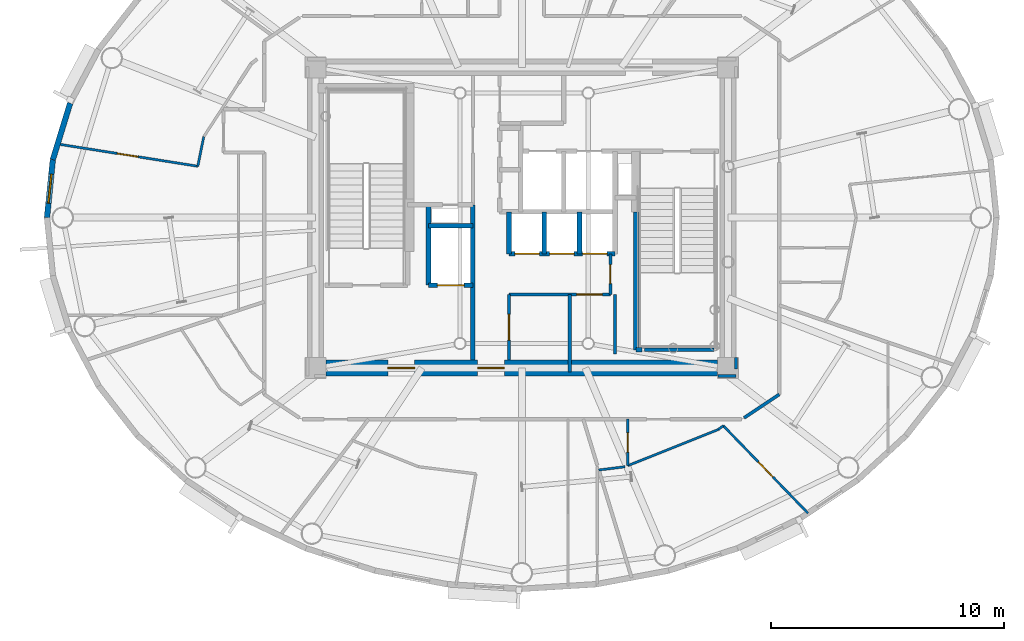
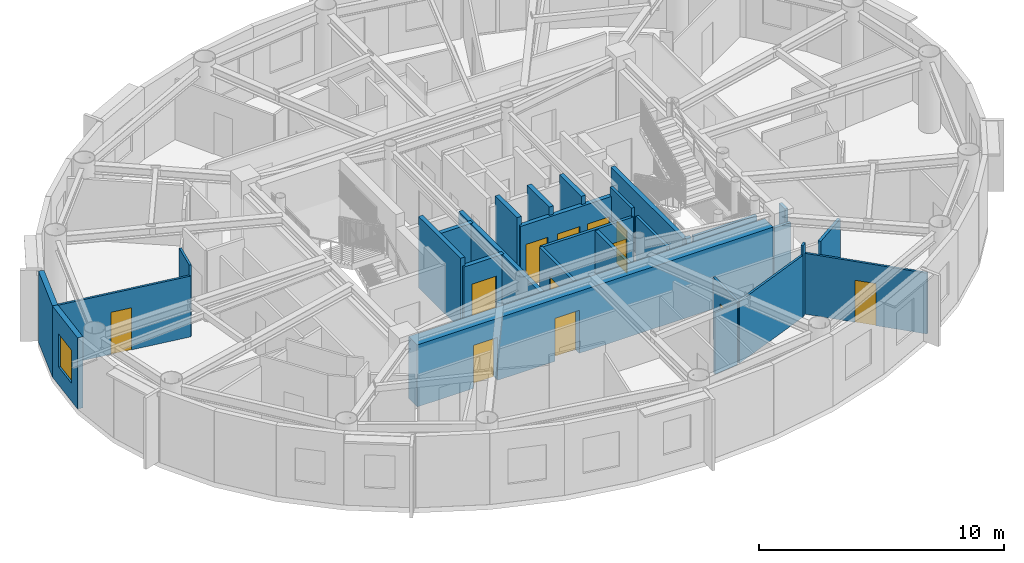
# One storey, part 7 of 17: 29 walls, 12 doors, 1 window, 13 openings.
"""IFC4 building model written with IfcOpenShell, lengths in metres."""

from ifc_helpers import new_model, si_unit, direction, frame, frame_2d, origin, origin_2d, place, context, subcontext, project, spatial, rectangle, extrude, source, transform, mapped, material, layer, layer_set, type_object, element, fill, save


model = new_model("IFC4")

# Units and contexts
model_context = context("Model", 3, precision=1e-05, world=origin(), true_north=direction((0.0, 1.0)))
body_context = subcontext(model_context, "Body", "Model", "MODEL_VIEW")
ifc_project = project(units=[si_unit("LENGTHUNIT", "METRE"), si_unit("AREAUNIT", "SQUARE_METRE"), si_unit("VOLUMEUNIT", "CUBIC_METRE"), si_unit("PLANEANGLEUNIT", "RADIAN"), si_unit("MASSUNIT", "GRAM", prefix="KILO")], contexts=[model_context])

# Site, building, storey
site_placement = place(None, origin())
site = spatial("IfcSite", under=ifc_project, at=site_placement, CompositionType="ELEMENT")
building_placement = place(site_placement, origin())
building = spatial("IfcBuilding", under=site, at=building_placement, Name="Linh Dai School and Residence Tower", CompositionType="ELEMENT")
storey_placement = place(building_placement, frame((0.0, 0.0, 331.60009765625)))
storey = spatial("IfcBuildingStorey", under=building, at=storey_placement, Name="L82", CompositionType="ELEMENT", Elevation=331.60009765625)

# Wall
ifc_material_1 = material(Name="Precast Concrete B45 (C35/45)", Category="concrete")
ifc_layer_1 = layer(ifc_material_1, 0.239990234375)
ifc_layer_set_1 = layer_set([ifc_layer_1], Name="Precast Concrete B45 (C35/45)")
wall_type_1 = type_object("IfcWallType", Name="EW-TC-240", PredefinedType="SOLIDWALL", material=ifc_layer_set_1)
wall_1_placement = place(storey_placement, frame((15.875, 29.48681640625, 0.0), z_axis=(0.0, 0.0, 1.0), x_axis=(0.293105547213, 0.956080089842, 0.0)))
element("IfcWall", 1, at=wall_1_placement, inside=storey, type_object=wall_type_1, Name="L82 Terracotta Exterior Wall 19", PredefinedType="SOLIDWALL", context=body_context, shape_type="SweptSolid", body=[
    extrude(rectangle(XDim=2.5380859375, YDim=0.239990234375, at=frame_2d((1.26904296875, 0.0))), origin(), (0.0, 0.0, 1.0), 3.5498046875),
])

# Wall, opening, window
wall_2_placement = place(storey_placement, frame((15.625, 27.0, 0.0), z_axis=(0.0, 0.0, 1.0), x_axis=(0.100025963401, 0.994984827344, 0.0)))
wall_2 = element("IfcWall", 2, at=wall_2_placement, inside=storey, type_object=wall_type_1, Name="L82 Terracotta Exterior Wall 20", PredefinedType="SOLIDWALL", context=body_context, shape_type="SweptSolid", body=[
    extrude(rectangle(XDim=2.499267578125, YDim=0.239990234375, at=frame_2d((1.24951171875, 0.0))), origin(), (0.0, 0.0, 1.0), 3.5498046875),
])
opening_1_placement = place(wall_2_placement, frame((0.624755859375, 0.0, 0.89990234375)))
opening_1 = element("IfcOpeningElement", 3, at=opening_1_placement, cuts=wall_2, Name="Opening W3", PredefinedType="OPENING", context=body_context, shape_type="SweptSolid", body=[
    extrude(rectangle(XDim=1.25, YDim=1.64990234375, at=origin_2d()), frame((0.625, 0.1298828125, 0.824951171875), z_axis=(0.0, -1.0, 0.0), x_axis=(1.0, 0.0, 0.0)), (0.0, 0.0, 1.0), 0.260009765625),
])
ifc_material_2 = material(Name="Double Low-E Insulated Glazing", Category="glass")
window_type = type_object("IfcWindowType", Name="WN-RES-1250x1650", PartitioningType="SINGLE_PANEL", PredefinedType="WINDOW", material=ifc_material_2)
shared_shape_1 = source(origin(), body_context, "Body", "SweptSolid", [
    extrude(rectangle(XDim=1.25, YDim=1.64990234375, at=origin_2d()), frame((0.625, 0.030029296875, 0.824951171875), z_axis=(0.0, -1.0, 0.0), x_axis=(1.0, 0.0, 0.0)), (0.0, 0.0, 1.0), 0.06005859375),
])
window_placement = place(opening_1_placement, origin())
window = element("IfcWindow", 4, at=window_placement, inside=storey, type_object=window_type, Name="L82 Dwelling Window U8203-LIV", OverallHeight=1.64990234375, OverallWidth=1.25, PartitioningType="SINGLE_PANEL", PredefinedType="WINDOW", context=body_context, shape_type="MappedRepresentation", body=[
    mapped(shared_shape_1, transform((0.0, 0.0, 0.0), x_axis=(1.0, 0.0, 0.0), y_axis=(0.0, 1.0, 0.0), z_axis=(0.0, 0.0, 1.0), scale=1.0)),
])
fill(opening_1, window)

# Wall, opening, door
ifc_material_3 = material(Name="Autoclaved Aerated Concrete Blockwork", Category="masonry")
ifc_layer_2 = layer(ifc_material_3, 0.135009765625)
ifc_layer_set_2 = layer_set([ifc_layer_2], Name="Autoclaved Aerated Concrete Blockwork")
wall_type_2 = type_object("IfcWallType", Name="IW-CORR-135-EI90", PredefinedType="PARTITIONING", material=ifc_layer_set_2)
wall_3_placement = place(storey_placement, frame((35.449951171875, 20.89990234375, 0.0), z_axis=(0.0, 0.0, 1.0), x_axis=(0.0, 1.0, 0.0)))
wall_3 = element("IfcWall", 5, at=wall_3_placement, inside=storey, type_object=wall_type_2, Name="L82 Interior Partition Wall 047", PredefinedType="PARTITIONING", context=body_context, shape_type="SweptSolid", body=[
    extrude(rectangle(XDim=2.800048828125, YDim=0.135009765625, at=frame_2d((1.39990234375, 0.0))), origin(), (0.0, 0.0, 1.0), 3.135009765625),
])
opening_2_placement = place(wall_3_placement, frame((0.85009765625, 0.0, 0.0)))
opening_2 = element("IfcOpeningElement", 6, at=opening_2_placement, cuts=wall_3, Name="Opening D07", PredefinedType="OPENING", context=body_context, shape_type="SweptSolid", body=[
    extrude(rectangle(XDim=1.10009765625, YDim=2.14990234375, at=origin_2d()), frame((0.550048828125, 0.07763671875, 1.074951171875), z_axis=(0.0, -1.0, 0.0), x_axis=(1.0, 0.0, 0.0)), (0.0, 0.0, 1.0), 0.155029296875),
])
ifc_material_4 = material(Name="Fire-Rated Louvred Steel Plant Door", Category="steel")
door_type_1 = type_object("IfcDoorType", Name="DR-PLT-1100x2150-FD60S", OperationType="NOTDEFINED", PredefinedType="DOOR", material=ifc_material_4)
shared_shape_2 = source(origin(), body_context, "Body", "SweptSolid", [
    extrude(rectangle(XDim=1.10009765625, YDim=2.14990234375, at=origin_2d()), frame((0.550048828125, 0.02490234375, 1.074951171875), z_axis=(0.0, -1.0, 0.0), x_axis=(1.0, 0.0, 0.0)), (0.0, 0.0, 1.0), 0.050048828125),
])
door_1_placement = place(opening_2_placement, origin())
door_1 = element("IfcDoor", 7, at=door_1_placement, inside=storey, type_object=door_type_1, Name="L82 Floor Electrical Switchroom Door", OperationType="SINGLE_SWING_LEFT", OverallHeight=2.14990234375, OverallWidth=1.10009765625, PredefinedType="DOOR", context=body_context, shape_type="MappedRepresentation", body=[
    mapped(shared_shape_2, transform((0.0, 0.0, 0.0), x_axis=(1.0, 0.0, 0.0), y_axis=(0.0, 1.0, 0.0), z_axis=(0.0, 0.0, 1.0), scale=1.0)),
])
fill(opening_2, door_1)

wall_4_placement = place(storey_placement, frame((35.449951171875, 23.699951171875, 0.0), z_axis=(0.0, 0.0, 1.0), x_axis=(1.0, 0.0, 0.0)))
wall_4 = element("IfcWall", 8, at=wall_4_placement, inside=storey, type_object=wall_type_2, Name="L82 Interior Partition Wall 048", PredefinedType="PARTITIONING", context=body_context, shape_type="SweptSolid", body=[
    extrude(rectangle(XDim=4.35009765625, YDim=0.135009765625, at=frame_2d((2.175048828125, 0.0))), origin(), (0.0, 0.0, 1.0), 3.135009765625),
])
opening_3_placement = place(wall_4_placement, frame((2.905029296875, 0.0, 0.0)))
opening_3 = element("IfcOpeningElement", 9, at=opening_3_placement, cuts=wall_4, Name="Opening D07", PredefinedType="OPENING", context=body_context, shape_type="SweptSolid", body=[
    extrude(rectangle(XDim=1.10009765625, YDim=2.14990234375, at=origin_2d()), frame((0.550048828125, 0.07763671875, 1.074951171875), z_axis=(0.0, -1.0, 0.0), x_axis=(1.0, 0.0, 0.0)), (0.0, 0.0, 1.0), 0.155029296875),
])
door_2_placement = place(opening_3_placement, origin())
door_2 = element("IfcDoor", 10, at=door_2_placement, inside=storey, type_object=door_type_1, Name="L82 Telecom Node Room Door", OperationType="SINGLE_SWING_RIGHT", OverallHeight=2.14990234375, OverallWidth=1.10009765625, PredefinedType="DOOR", context=body_context, shape_type="MappedRepresentation", body=[
    mapped(shared_shape_2, transform((0.0, 0.0, 0.0), x_axis=(1.0, 0.0, 0.0), y_axis=(0.0, 1.0, 0.0), z_axis=(0.0, 0.0, 1.0), scale=1.0)),
])
fill(opening_3, door_2)

wall_5_placement = place(storey_placement, frame((39.800048828125, 23.699951171875, 0.0), z_axis=(0.0, 0.0, 1.0), x_axis=(0.0, 1.0, 0.0)))
wall_5 = element("IfcWall", 11, at=wall_5_placement, inside=storey, type_object=wall_type_2, Name="L82 Interior Partition Wall 070", PredefinedType="PARTITIONING", context=body_context, shape_type="SweptSolid", body=[
    extrude(rectangle(XDim=1.75, YDim=0.135009765625, at=frame_2d((0.875, 0.0))), origin(), (0.0, 0.0, 1.0), 3.5498046875),
])
opening_4_placement = place(wall_5_placement, frame((0.465087890625, 0.0, 0.0)))
opening_4 = element("IfcOpeningElement", 12, at=opening_4_placement, cuts=wall_5, Name="Opening D06", PredefinedType="OPENING", context=body_context, shape_type="SweptSolid", body=[
    extrude(rectangle(XDim=0.820068359375, YDim=2.10009765625, at=origin_2d()), frame((0.41015625, 0.07763671875, 1.050048828125), z_axis=(0.0, -1.0, 0.0), x_axis=(1.0, 0.0, 0.0)), (0.0, 0.0, 1.0), 0.155029296875),
])
ifc_material_5 = material(Name="Moisture-Resistant Timber Bathroom Door", Category="wood")
door_type_2 = type_object("IfcDoorType", Name="DR-WET-820x2100", OperationType="NOTDEFINED", PredefinedType="DOOR", material=ifc_material_5)
shared_shape_3 = source(origin(), body_context, "Body", "SweptSolid", [
    extrude(rectangle(XDim=0.820068359375, YDim=2.10009765625, at=origin_2d()), frame((0.41015625, 0.02490234375, 1.050048828125), z_axis=(0.0, -1.0, 0.0), x_axis=(1.0, 0.0, 0.0)), (0.0, 0.0, 1.0), 0.050048828125),
])
door_3_placement = place(opening_4_placement, origin())
door_3 = element("IfcDoor", 13, at=door_3_placement, inside=storey, type_object=door_type_2, Name="L82 East Linen Store Door", OperationType="SINGLE_SWING_LEFT", OverallHeight=2.10009765625, OverallWidth=0.820068359375, PredefinedType="DOOR", context=body_context, shape_type="MappedRepresentation", body=[
    mapped(shared_shape_3, transform((0.0, 0.0, 0.0), x_axis=(1.0, 0.0, 0.0), y_axis=(0.0, 1.0, 0.0), z_axis=(0.0, 0.0, 1.0), scale=1.0)),
])
fill(opening_4, door_3)

# Walls
wall_6_placement = place(storey_placement, frame((45.541259765625, 18.408203125, 0.0), z_axis=(0.0, 0.0, 1.0), x_axis=(0.831180227396, 0.556003084151, 0.0)))
element("IfcWall", 14, at=wall_6_placement, inside=storey, type_object=wall_type_2, Name="L82 Interior Partition Wall 080", PredefinedType="PARTITIONING", context=body_context, shape_type="SweptSolid", body=[
    extrude(rectangle(XDim=1.815185546875, YDim=0.135009765625, at=frame_2d((0.90771484375, 0.0))), origin(), (0.0, 0.0, 1.0), 3.0849609375),
])
wall_7_placement = place(storey_placement, frame((44.239990234375, 21.330078125, 0.0), z_axis=(0.0, 0.0, 1.0), x_axis=(-1.0, 0.0, 0.0)))
element("IfcWall", 15, at=wall_7_placement, inside=storey, type_object=wall_type_2, Name="L82 Interior Partition Wall 093", PredefinedType="PARTITIONING", context=body_context, shape_type="SweptSolid", body=[
    extrude(rectangle(XDim=2.97998046875, YDim=0.135009765625, at=frame_2d((1.489990234375, 0.0))), origin(), (0.0, 0.0, 1.0), 3.0849609375),
])
wall_8_placement = place(storey_placement, frame((40.0, 23.699951171875, 0.0), z_axis=(0.0, 0.0, 1.0), x_axis=(0.0, -1.0, 0.0)))
element("IfcWall", 16, at=wall_8_placement, inside=storey, type_object=wall_type_2, Name="L82 Interior Partition Wall 094", PredefinedType="PARTITIONING", context=body_context, shape_type="SweptSolid", body=[
    extrude(rectangle(XDim=2.5400390625, YDim=0.135009765625, at=frame_2d((1.27001953125, 0.0))), origin(), (0.0, 0.0, 1.0), 3.0849609375),
])
wall_9_placement = place(storey_placement, frame((44.409912109375, 20.199951171875, 0.0), z_axis=(0.0, 0.0, 1.0), x_axis=(1.0, 0.0, 0.0)))
element("IfcWall", 17, at=wall_9_placement, inside=storey, type_object=wall_type_2, Name="L82 Interior Partition Wall 102", PredefinedType="PARTITIONING", context=body_context, shape_type="SweptSolid", body=[
    extrude(rectangle(XDim=0.7900390625, YDim=0.135009765625, at=frame_2d((0.39501953125, 0.0))), origin(), (0.0, 0.0, 1.0), 3.0849609375),
])
wall_10_placement = place(storey_placement, frame((45.199951171875, 20.507568359375, 0.0), z_axis=(0.0, 0.0, 1.0), x_axis=(0.0, 1.0, 0.0)))
element("IfcWall", 18, at=wall_10_placement, inside=storey, type_object=wall_type_2, Name="L82 Interior Partition Wall 103", PredefinedType="PARTITIONING", context=body_context, shape_type="SweptSolid", body=[
    extrude(rectangle(XDim=0.482421875, YDim=0.135009765625, at=frame_2d((0.2412109375, 0.0))), origin(), (0.0, 0.0, 1.0), 3.5498046875),
])
ifc_layer_3 = layer(ifc_material_3, 0.14990234375)
ifc_layer_set_3 = layer_set([ifc_layer_3], Name="Autoclaved Aerated Concrete Blockwork")
wall_type_3 = type_object("IfcWallType", Name="IW-SCH-150-EI60", PredefinedType="PARTITIONING", material=ifc_layer_set_3)
wall_11_placement = place(storey_placement, frame((38.050048828125, 20.3798828125, 0.0), z_axis=(0.0, 0.0, 1.0), x_axis=(0.0, 1.0, 0.0)))
element("IfcWall", 19, at=wall_11_placement, inside=storey, type_object=wall_type_3, Name="L82 Interior Partition Wall 062", PredefinedType="PARTITIONING", context=body_context, shape_type="SweptSolid", body=[
    extrude(rectangle(XDim=3.320068359375, YDim=0.14990234375, at=frame_2d((1.66015625, 0.0))), origin(), (0.0, 0.0, 1.0), 3.0849609375),
])
ifc_material_6 = material(Name="Concrete B45 (C35/45)", Category="concrete")
ifc_layer_4 = layer(ifc_material_6, 0.199951171875)
ifc_layer_set_4 = layer_set([ifc_layer_4], Name="Concrete B45 (C35/45)")
wall_type_4 = type_object("IfcWallType", Name="IW-SHAFT-200-EI120", PredefinedType="PARTITIONING", material=ifc_layer_set_4)
wall_12_placement = place(storey_placement, frame((32.0, 24.10009765625, 0.0), z_axis=(0.0, 0.0, 1.0), x_axis=(0.0, 1.0, 0.0)))
element("IfcWall", 20, at=wall_12_placement, inside=storey, type_object=wall_type_4, Name="L82 Interior Partition Wall 032", PredefinedType="PARTITIONING", context=body_context, shape_type="SweptSolid", body=[
    extrude(rectangle(XDim=3.449951171875, YDim=0.199951171875, at=frame_2d((1.72509765625, 0.0))), origin(), (0.0, 0.0, 1.0), 3.5498046875),
])

# Wall, opening, door
wall_13_placement = place(storey_placement, frame((32.0, 24.10009765625, 0.0), z_axis=(0.0, 0.0, 1.0), x_axis=(1.0, 0.0, 0.0)))
wall_13 = element("IfcWall", 21, at=wall_13_placement, inside=storey, type_object=wall_type_4, Name="L82 Interior Partition Wall 033", PredefinedType="PARTITIONING", context=body_context, shape_type="SweptSolid", body=[
    extrude(rectangle(XDim=1.89990234375, YDim=0.199951171875, at=frame_2d((0.949951171875, 0.0))), origin(), (0.0, 0.0, 1.0), 3.135009765625),
])
opening_5_placement = place(wall_13_placement, frame((0.375, 0.0, 0.0)))
opening_5 = element("IfcOpeningElement", 22, at=opening_5_placement, cuts=wall_13, Name="Opening LD-FF2", PredefinedType="OPENING", context=body_context, shape_type="SweptSolid", body=[
    extrude(rectangle(XDim=1.14990234375, YDim=2.14990234375, at=origin_2d()), frame((0.574951171875, 0.10986328125, 1.074951171875), z_axis=(0.0, -1.0, 0.0), x_axis=(1.0, 0.0, 0.0)), (0.0, 0.0, 1.0), 0.219970703125),
])
ifc_material_7 = material(Name="Fire-Rated Stainless Steel Firefighting Lift Door", Category="steel")
door_type_3 = type_object("IfcDoorType", Name="DR-LD-FF-1150x2150-FD120", OperationType="DOUBLE_DOOR_SLIDING", PredefinedType="USERDEFINED", material=ifc_material_7)
shared_shape_4 = source(origin(), body_context, "Body", "SweptSolid", [
    extrude(rectangle(XDim=1.14990234375, YDim=2.14990234375, at=origin_2d()), frame((0.574951171875, 0.02490234375, 1.074951171875), z_axis=(0.0, -1.0, 0.0), x_axis=(1.0, 0.0, 0.0)), (0.0, 0.0, 1.0), 0.050048828125),
])
door_4_placement = place(opening_5_placement, origin())
door_4 = element("IfcDoor", 23, at=door_4_placement, inside=storey, type_object=door_type_3, Name="L82 Lift FF2 Sliding Landing Door", ObjectType="LANDING DOOR", OperationType="DOUBLE_DOOR_SLIDING", OverallHeight=2.14990234375, OverallWidth=1.14990234375, PredefinedType="USERDEFINED", context=body_context, shape_type="MappedRepresentation", body=[
    mapped(shared_shape_4, transform((0.0, 0.0, 0.0), x_axis=(1.0, 0.0, 0.0), y_axis=(0.0, 1.0, 0.0), z_axis=(0.0, 0.0, 1.0), scale=1.0)),
])
fill(opening_5, door_4)

# Walls
wall_14_placement = place(storey_placement, frame((32.0, 26.64990234375, 0.0), z_axis=(0.0, 0.0, 1.0), x_axis=(1.0, 0.0, 0.0)))
element("IfcWall", 24, at=wall_14_placement, inside=storey, type_object=wall_type_4, Name="L82 Interior Partition Wall 034", PredefinedType="PARTITIONING", context=body_context, shape_type="SweptSolid", body=[
    extrude(rectangle(XDim=1.89990234375, YDim=0.199951171875, at=frame_2d((0.949951171875, 0.0))), origin(), (0.0, 0.0, 1.0), 3.135009765625),
])
wall_15_placement = place(storey_placement, frame((33.89990234375, 20.89990234375, 0.0), z_axis=(0.0, 0.0, 1.0), x_axis=(0.0, 1.0, 0.0)))
element("IfcWall", 25, at=wall_15_placement, inside=storey, type_object=wall_type_4, Name="L82 Interior Partition Wall 037", PredefinedType="PARTITIONING", context=body_context, shape_type="SweptSolid", body=[
    extrude(rectangle(XDim=6.650146484375, YDim=0.199951171875, at=frame_2d((3.3251953125, 0.0))), origin(), (0.0, 0.0, 1.0), 3.135009765625),
])
wall_16_placement = place(storey_placement, frame((35.449951171875, 25.449951171875, 0.0), z_axis=(0.0, 0.0, 1.0), x_axis=(0.0, 1.0, 0.0)))
element("IfcWall", 26, at=wall_16_placement, inside=storey, type_object=wall_type_4, Name="L82 Interior Partition Wall 049", PredefinedType="PARTITIONING", context=body_context, shape_type="SweptSolid", body=[
    extrude(rectangle(XDim=1.800048828125, YDim=0.199951171875, at=frame_2d((0.89990234375, 0.0))), origin(), (0.0, 0.0, 1.0), 3.5498046875),
])

# Wall, openings, doors
wall_17_placement = place(storey_placement, frame((35.449951171875, 25.449951171875, 0.0), z_axis=(0.0, 0.0, 1.0), x_axis=(1.0, 0.0, 0.0)))
wall_17 = element("IfcWall", 27, at=wall_17_placement, inside=storey, type_object=wall_type_4, Name="L82 Interior Partition Wall 050", PredefinedType="PARTITIONING", context=body_context, shape_type="SweptSolid", body=[
    extrude(rectangle(XDim=4.550048828125, YDim=0.199951171875, at=frame_2d((2.27490234375, 0.0))), origin(), (0.0, 0.0, 1.0), 3.135009765625),
])
opening_6_placement = place(wall_17_placement, frame((0.25, 0.0, 0.0)))
opening_6 = element("IfcOpeningElement", 28, at=opening_6_placement, cuts=wall_17, Name="Opening LD-PL7", PredefinedType="OPENING", context=body_context, shape_type="SweptSolid", body=[
    extrude(rectangle(XDim=1.050048828125, YDim=2.14990234375, at=origin_2d()), frame((0.52490234375, 0.10986328125, 1.074951171875), z_axis=(0.0, -1.0, 0.0), x_axis=(1.0, 0.0, 0.0)), (0.0, 0.0, 1.0), 0.219970703125),
])
opening_7_placement = place(wall_17_placement, frame((1.7451171875, 0.0, 0.0)))
opening_7 = element("IfcOpeningElement", 29, at=opening_7_placement, cuts=wall_17, Name="Opening LD-PL8", PredefinedType="OPENING", context=body_context, shape_type="SweptSolid", body=[
    extrude(rectangle(XDim=1.050048828125, YDim=2.14990234375, at=origin_2d()), frame((0.52490234375, 0.10986328125, 1.074951171875), z_axis=(0.0, -1.0, 0.0), x_axis=(1.0, 0.0, 0.0)), (0.0, 0.0, 1.0), 0.219970703125),
])
opening_8_placement = place(wall_17_placement, frame((3.1650390625, 0.0, 0.0)))
opening_8 = element("IfcOpeningElement", 30, at=opening_8_placement, cuts=wall_17, Name="Opening LD-PL9", PredefinedType="OPENING", context=body_context, shape_type="SweptSolid", body=[
    extrude(rectangle(XDim=1.050048828125, YDim=2.14990234375, at=origin_2d()), frame((0.52490234375, 0.10986328125, 1.074951171875), z_axis=(0.0, -1.0, 0.0), x_axis=(1.0, 0.0, 0.0)), (0.0, 0.0, 1.0), 0.219970703125),
])
ifc_material_8 = material(Name="Brushed Stainless Steel Lift Landing Door", Category="steel")
door_type_4 = type_object("IfcDoorType", Name="DR-LD-PASS-1050x2150", OperationType="DOUBLE_DOOR_SLIDING", PredefinedType="USERDEFINED", material=ifc_material_8)
shared_shape_5 = source(origin(), body_context, "Body", "SweptSolid", [
    extrude(rectangle(XDim=1.050048828125, YDim=2.14990234375, at=origin_2d()), frame((0.52490234375, 0.02490234375, 1.074951171875), z_axis=(0.0, -1.0, 0.0), x_axis=(1.0, 0.0, 0.0)), (0.0, 0.0, 1.0), 0.050048828125),
])
door_5_placement = place(opening_6_placement, origin())
door_5 = element("IfcDoor", 31, at=door_5_placement, inside=storey, type_object=door_type_4, Name="L82 Lift PL7 Sliding Landing Door", ObjectType="LANDING DOOR", OperationType="DOUBLE_DOOR_SLIDING", OverallHeight=2.14990234375, OverallWidth=1.050048828125, PredefinedType="USERDEFINED", context=body_context, shape_type="MappedRepresentation", body=[
    mapped(shared_shape_5, transform((0.0, 0.0, 0.0), x_axis=(1.0, 0.0, 0.0), y_axis=(0.0, 1.0, 0.0), z_axis=(0.0, 0.0, 1.0), scale=1.0)),
])
fill(opening_6, door_5)
door_6_placement = place(opening_7_placement, origin())
door_6 = element("IfcDoor", 32, at=door_6_placement, inside=storey, type_object=door_type_4, Name="L82 Lift PL8 Sliding Landing Door", ObjectType="LANDING DOOR", OperationType="DOUBLE_DOOR_SLIDING", OverallHeight=2.14990234375, OverallWidth=1.050048828125, PredefinedType="USERDEFINED", context=body_context, shape_type="MappedRepresentation", body=[
    mapped(shared_shape_5, transform((0.0, 0.0, 0.0), x_axis=(1.0, 0.0, 0.0), y_axis=(0.0, 1.0, 0.0), z_axis=(0.0, 0.0, 1.0), scale=1.0)),
])
fill(opening_7, door_6)
door_7_placement = place(opening_8_placement, origin())
door_7 = element("IfcDoor", 33, at=door_7_placement, inside=storey, type_object=door_type_4, Name="L82 Lift PL9 Sliding Landing Door", ObjectType="LANDING DOOR", OperationType="DOUBLE_DOOR_SLIDING", OverallHeight=2.14990234375, OverallWidth=1.050048828125, PredefinedType="USERDEFINED", context=body_context, shape_type="MappedRepresentation", body=[
    mapped(shared_shape_5, transform((0.0, 0.0, 0.0), x_axis=(1.0, 0.0, 0.0), y_axis=(0.0, 1.0, 0.0), z_axis=(0.0, 0.0, 1.0), scale=1.0)),
])
fill(opening_8, door_7)

# Walls
for number, where, z_axis, x_axis, name in (
    (34, (36.9599609375, 25.449951171875, 0.0), (0.0, 0.0, 1.0), (0.0, 1.0, 0.0), "L82 Interior Partition Wall 058"),
    (35, (38.47998046875, 25.449951171875, 0.0), (0.0, 0.0, 1.0), (0.0, 1.0, 0.0), "L82 Interior Partition Wall 063"),
):
    element("IfcWall", number, at=place(storey_placement, frame(where, z_axis=z_axis, x_axis=x_axis)), inside=storey, type_object=wall_type_4, Name=name, PredefinedType="PARTITIONING", context=body_context, shape_type="SweptSolid", body=[
        extrude(rectangle(XDim=1.800048828125, YDim=0.199951171875, at=frame_2d((0.89990234375, 0.0))), origin(), (0.0, 0.0, 1.0), 3.5498046875),
    ])
wall_18_placement = place(storey_placement, frame((40.89990234375, 21.330078125, 0.0), z_axis=(0.0, 0.0, 1.0), x_axis=(0.0, 1.0, 0.0)))
element("IfcWall", 36, at=wall_18_placement, inside=storey, type_object=wall_type_4, Name="L82 Interior Partition Wall 075", PredefinedType="PARTITIONING", context=body_context, shape_type="SweptSolid", body=[
    extrude(rectangle(XDim=5.909912109375, YDim=0.199951171875, at=frame_2d((2.955078125, 0.0))), origin(), (0.0, 0.0, 1.0), 3.0849609375),
])
wall_19_placement = place(storey_placement, frame((40.89990234375, 21.330078125, 0.0), z_axis=(0.0, 0.0, 1.0), x_axis=(1.0, 0.0, 0.0)))
element("IfcWall", 37, at=wall_19_placement, inside=storey, type_object=wall_type_4, Name="L82 Interior Partition Wall 076", PredefinedType="PARTITIONING", context=body_context, shape_type="SweptSolid", body=[
    extrude(rectangle(XDim=0.25, YDim=0.199951171875, at=frame_2d((0.125, 0.0))), origin(), (0.0, 0.0, 1.0), 3.0849609375),
])

# Wall, opening, door
ifc_material_9 = material(Name="Gypsum Plasterboard Acoustic Stud Partition", Category="masonry")
ifc_layer_5 = layer(ifc_material_9, 0.10009765625)
ifc_layer_set_5 = layer_set([ifc_layer_5], Name="Gypsum Plasterboard Acoustic Stud Partition")
wall_type_5 = type_object("IfcWallType", Name="IW-UNIT-100", PredefinedType="PARTITIONING", material=ifc_layer_set_5)
wall_20_placement = place(storey_placement, frame((16.07666015625, 30.16162109375, 0.0), z_axis=(0.0, 0.0, 1.0), x_axis=(0.987639564331, -0.156742116127, 0.0)))
wall_20 = element("IfcWall", 38, at=wall_20_placement, inside=storey, type_object=wall_type_5, Name="L82 Interior Partition Wall 001", PredefinedType="PARTITIONING", context=body_context, shape_type="SweptSolid", body=[
    extrude(rectangle(XDim=6.094970703125, YDim=0.10009765625, at=frame_2d((3.04736328125, 0.0))), origin(), (0.0, 0.0, 1.0), 3.034912109375),
])
opening_9_placement = place(wall_20_placement, frame((2.597412109375, 0.0, 0.0)))
opening_9 = element("IfcOpeningElement", 39, at=opening_9_placement, cuts=wall_20, Name="Opening D05", PredefinedType="OPENING", context=body_context, shape_type="SweptSolid", body=[
    extrude(rectangle(XDim=0.89990234375, YDim=2.10009765625, at=origin_2d()), frame((0.449951171875, 0.06005859375, 1.050048828125), z_axis=(0.0, -1.0, 0.0), x_axis=(1.0, 0.0, 0.0)), (0.0, 0.0, 1.0), 0.1201171875),
])
ifc_material_10 = material(Name="Engineered Timber Internal Door", Category="wood")
door_type_5 = type_object("IfcDoorType", Name="DR-INT-900x2100", OperationType="NOTDEFINED", PredefinedType="DOOR", material=ifc_material_10)
shared_shape_6 = source(origin(), body_context, "Body", "SweptSolid", [
    extrude(rectangle(XDim=0.89990234375, YDim=2.10009765625, at=origin_2d()), frame((0.449951171875, 0.02490234375, 1.050048828125), z_axis=(0.0, -1.0, 0.0), x_axis=(1.0, 0.0, 0.0)), (0.0, 0.0, 1.0), 0.050048828125),
])
door_8_placement = place(opening_9_placement, origin())
door_8 = element("IfcDoor", 40, at=door_8_placement, inside=storey, type_object=door_type_5, Name="L82 Apartment U8203 Principal Bedroom 1 Door", OperationType="SINGLE_SWING_RIGHT", OverallHeight=2.10009765625, OverallWidth=0.89990234375, PredefinedType="DOOR", context=body_context, shape_type="MappedRepresentation", body=[
    mapped(shared_shape_6, transform((0.0, 0.0, 0.0), x_axis=(1.0, 0.0, 0.0), y_axis=(0.0, 1.0, 0.0), z_axis=(0.0, 0.0, 1.0), scale=1.0)),
])
fill(opening_9, door_8)

# Walls
wall_21_placement = place(storey_placement, frame((22.09619140625, 29.206298828125, 0.0), z_axis=(0.0, 0.0, 1.0), x_axis=(0.198186651624, 0.980164298023, 0.0)))
element("IfcWall", 41, at=wall_21_placement, inside=storey, type_object=wall_type_5, Name="L82 Interior Partition Wall 006", PredefinedType="PARTITIONING", context=body_context, shape_type="SweptSolid", body=[
    extrude(rectangle(XDim=1.292236328125, YDim=0.10009765625, at=frame_2d((0.64599609375, 0.0))), origin(), (0.0, 0.0, 1.0), 3.5498046875),
])
wall_22_placement = place(storey_placement, frame((39.3037109375, 16.17138671875, 0.0), z_axis=(0.0, 0.0, 1.0), x_axis=(0.992405921313, 0.123006045959, 0.0)))
element("IfcWall", 42, at=wall_22_placement, inside=storey, type_object=wall_type_5, Name="L82 Interior Partition Wall 067", PredefinedType="PARTITIONING", context=body_context, shape_type="SweptSolid", body=[
    extrude(rectangle(XDim=1.13916015625, YDim=0.10009765625, at=frame_2d((0.569580078125, 0.0))), origin(), (0.0, 0.0, 1.0), 3.0849609375),
])

# Wall, opening, door
wall_23_placement = place(storey_placement, frame((40.54296875, 16.35498046875, 0.0), z_axis=(0.0, 0.0, 1.0), x_axis=(0.0, 1.0, 0.0)))
wall_23 = element("IfcWall", 43, at=wall_23_placement, inside=storey, type_object=wall_type_5, Name="L82 Interior Partition Wall 073", PredefinedType="PARTITIONING", context=body_context, shape_type="SweptSolid", body=[
    extrude(rectangle(XDim=1.9951171875, YDim=0.10009765625, at=frame_2d((0.99755859375, 0.0))), origin(), (0.0, 0.0, 1.0), 3.0849609375),
])
opening_10_placement = place(wall_23_placement, frame((0.587646484375, 0.0, 0.0)))
opening_10 = element("IfcOpeningElement", 44, at=opening_10_placement, cuts=wall_23, Name="Opening D06", PredefinedType="OPENING", context=body_context, shape_type="SweptSolid", body=[
    extrude(rectangle(XDim=0.820068359375, YDim=2.10009765625, at=origin_2d()), frame((0.41015625, 0.06005859375, 1.050048828125), z_axis=(0.0, -1.0, 0.0), x_axis=(1.0, 0.0, 0.0)), (0.0, 0.0, 1.0), 0.1201171875),
])
door_9_placement = place(opening_10_placement, origin())
door_9 = element("IfcDoor", 45, at=door_9_placement, inside=storey, type_object=door_type_2, Name="L82 Apartment U8206 Bathroom 1 Door", OperationType="SINGLE_SWING_RIGHT", OverallHeight=2.10009765625, OverallWidth=0.820068359375, PredefinedType="DOOR", context=body_context, shape_type="MappedRepresentation", body=[
    mapped(shared_shape_3, transform((0.0, 0.0, 0.0), x_axis=(1.0, 0.0, 0.0), y_axis=(0.0, 1.0, 0.0), z_axis=(0.0, 0.0, 1.0), scale=1.0)),
])
fill(opening_10, door_9)

# Walls
wall_24_placement = place(storey_placement, frame((40.54296875, 16.35498046875, 0.0), z_axis=(0.0, 0.0, 1.0), x_axis=(0.928785770399, 0.370617043191, 0.0)))
element("IfcWall", 46, at=wall_24_placement, inside=storey, type_object=wall_type_5, Name="L82 Interior Partition Wall 074", PredefinedType="PARTITIONING", context=body_context, shape_type="SweptSolid", body=[
    extrude(rectangle(XDim=4.190185546875, YDim=0.10009765625, at=frame_2d((2.09521484375, 0.0))), origin(), (0.0, 0.0, 1.0), 3.0849609375),
])
wall_25_placement = place(storey_placement, frame((44.434814453125, 17.907958984375, 0.0), z_axis=(0.0, 0.0, 1.0), x_axis=(0.787427799495, 0.616406895307, 0.0)))
element("IfcWall", 47, at=wall_25_placement, inside=storey, type_object=wall_type_5, Name="L82 Interior Partition Wall 078", PredefinedType="PARTITIONING", context=body_context, shape_type="SweptSolid", body=[
    extrude(rectangle(XDim=0.266845703125, YDim=0.10009765625, at=frame_2d((0.13330078125, 0.0))), origin(), (0.0, 0.0, 1.0), 3.5498046875),
])

# Wall, opening, door
wall_26_placement = place(storey_placement, frame((44.64501953125, 18.072509765625, 0.0), z_axis=(0.0, 0.0, 1.0), x_axis=(0.695656073062, -0.718374991221, 0.0)))
wall_26 = element("IfcWall", 48, at=wall_26_placement, inside=storey, type_object=wall_type_5, Name="L82 Interior Partition Wall 079", PredefinedType="PARTITIONING", context=body_context, shape_type="SweptSolid", body=[
    extrude(rectangle(XDim=5.2333984375, YDim=0.10009765625, at=frame_2d((2.61669921875, 0.0))), origin(), (0.0, 0.0, 1.0), 3.034912109375),
])
opening_11_placement = place(wall_26_placement, frame((2.166748046875, 0.0, 0.0)))
opening_11 = element("IfcOpeningElement", 49, at=opening_11_placement, cuts=wall_26, Name="Opening D05", PredefinedType="OPENING", context=body_context, shape_type="SweptSolid", body=[
    extrude(rectangle(XDim=0.89990234375, YDim=2.10009765625, at=origin_2d()), frame((0.449951171875, 0.06005859375, 1.050048828125), z_axis=(0.0, -1.0, 0.0), x_axis=(1.0, 0.0, 0.0)), (0.0, 0.0, 1.0), 0.1201171875),
])
door_10_placement = place(opening_11_placement, origin())
door_10 = element("IfcDoor", 50, at=door_10_placement, inside=storey, type_object=door_type_5, Name="L82 Apartment U8206 Bedroom 1 Door", OperationType="SINGLE_SWING_LEFT", OverallHeight=2.10009765625, OverallWidth=0.89990234375, PredefinedType="DOOR", context=body_context, shape_type="MappedRepresentation", body=[
    mapped(shared_shape_6, transform((0.0, 0.0, 0.0), x_axis=(1.0, 0.0, 0.0), y_axis=(0.0, 1.0, 0.0), z_axis=(0.0, 0.0, 1.0), scale=1.0)),
])
fill(opening_11, door_10)

# Wall, openings, doors
ifc_layer_6 = layer(ifc_material_6, 0.699951171875)
ifc_layer_set_6 = layer_set([ifc_layer_6], Name="Concrete B45 (C35/45)")
wall_type_6 = type_object("IfcWallType", Name="WL-CORE700", PredefinedType="SHEAR", material=ifc_layer_set_6)
wall_27_placement = place(storey_placement, frame((44.39990234375, 20.550048828125, 0.0), z_axis=(0.0, 0.0, 1.0), x_axis=(-1.0, 0.0, 0.0)))
wall_27 = element("IfcWall", 51, at=wall_27_placement, inside=storey, type_object=wall_type_6, Name="L82 Central Core Shear Wall S", PredefinedType="SHEAR", context=body_context, shape_type="SweptSolid", body=[
    extrude(rectangle(XDim=16.7998046875, YDim=0.699951171875, at=frame_2d((8.39990234375, 0.0))), origin(), (0.0, 0.0, 1.0), 3.099853515625),
])
opening_12_placement = place(wall_27_placement, frame((13.0, 0.0, 0.0)))
opening_12 = element("IfcOpeningElement", 52, at=opening_12_placement, cuts=wall_27, Name="Opening D02", PredefinedType="OPENING", context=body_context, shape_type="SweptSolid", body=[
    extrude(rectangle(XDim=1.14990234375, YDim=2.14990234375, at=origin_2d()), frame((0.574951171875, 0.35986328125, 1.074951171875), z_axis=(0.0, -1.0, 0.0), x_axis=(1.0, 0.0, 0.0)), (0.0, 0.0, 1.0), 0.719970703125),
])
opening_13_placement = place(wall_27_placement, frame((9.14990234375, 0.0, 0.0)))
opening_13 = element("IfcOpeningElement", 53, at=opening_13_placement, cuts=wall_27, Name="Opening D02", PredefinedType="OPENING", context=body_context, shape_type="SweptSolid", body=[
    extrude(rectangle(XDim=1.14990234375, YDim=2.14990234375, at=origin_2d()), frame((0.574951171875, 0.35986328125, 1.074951171875), z_axis=(0.0, -1.0, 0.0), x_axis=(1.0, 0.0, 0.0)), (0.0, 0.0, 1.0), 0.719970703125),
])
ifc_material_11 = material(Name="Fire-Rated Glazed Steel Lobby Door", Category="steel")
door_type_6 = type_object("IfcDoorType", Name="DR-LOBBY-1150x2150-FD90S", OperationType="NOTDEFINED", PredefinedType="DOOR", material=ifc_material_11)
shared_shape_7 = source(origin(), body_context, "Body", "SweptSolid", [
    extrude(rectangle(XDim=1.14990234375, YDim=2.14990234375, at=origin_2d()), frame((0.574951171875, 0.02490234375, 1.074951171875), z_axis=(0.0, -1.0, 0.0), x_axis=(1.0, 0.0, 0.0)), (0.0, 0.0, 1.0), 0.050048828125),
])
door_11_placement = place(opening_12_placement, origin())
door_11 = element("IfcDoor", 54, at=door_11_placement, inside=storey, type_object=door_type_6, Name="L82 Firefighting Lobby Door", OperationType="SINGLE_SWING_LEFT", OverallHeight=2.14990234375, OverallWidth=1.14990234375, PredefinedType="DOOR", context=body_context, shape_type="MappedRepresentation", body=[
    mapped(shared_shape_7, transform((0.0, 0.0, 0.0), x_axis=(1.0, 0.0, 0.0), y_axis=(0.0, 1.0, 0.0), z_axis=(0.0, 0.0, 1.0), scale=1.0)),
])
fill(opening_12, door_11)
door_12_placement = place(opening_13_placement, origin())
door_12 = element("IfcDoor", 55, at=door_12_placement, inside=storey, type_object=door_type_6, Name="L82 Passenger Foyer Access Door", OperationType="SINGLE_SWING_LEFT", OverallHeight=2.14990234375, OverallWidth=1.14990234375, PredefinedType="DOOR", context=body_context, shape_type="MappedRepresentation", body=[
    mapped(shared_shape_7, transform((0.0, 0.0, 0.0), x_axis=(1.0, 0.0, 0.0), y_axis=(0.0, 1.0, 0.0), z_axis=(0.0, 0.0, 1.0), scale=1.0)),
])
fill(opening_13, door_12)

save(model, "model.ifc")
